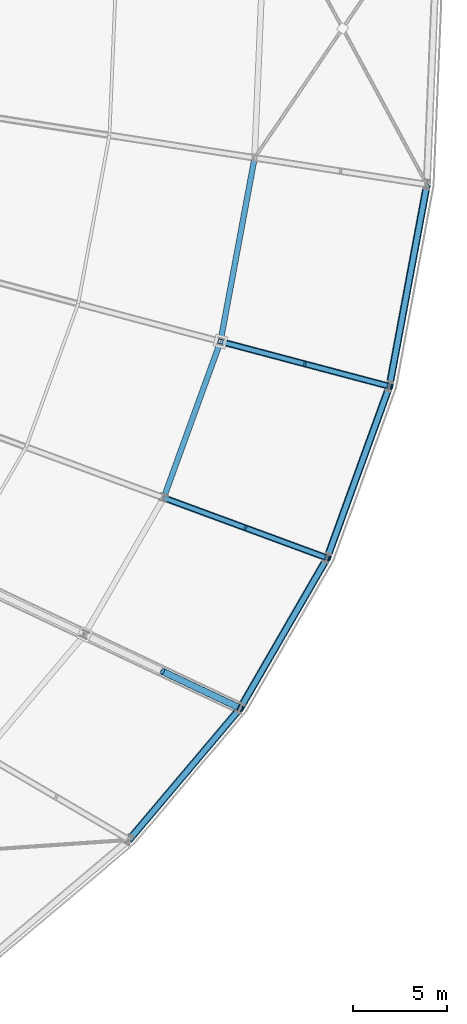
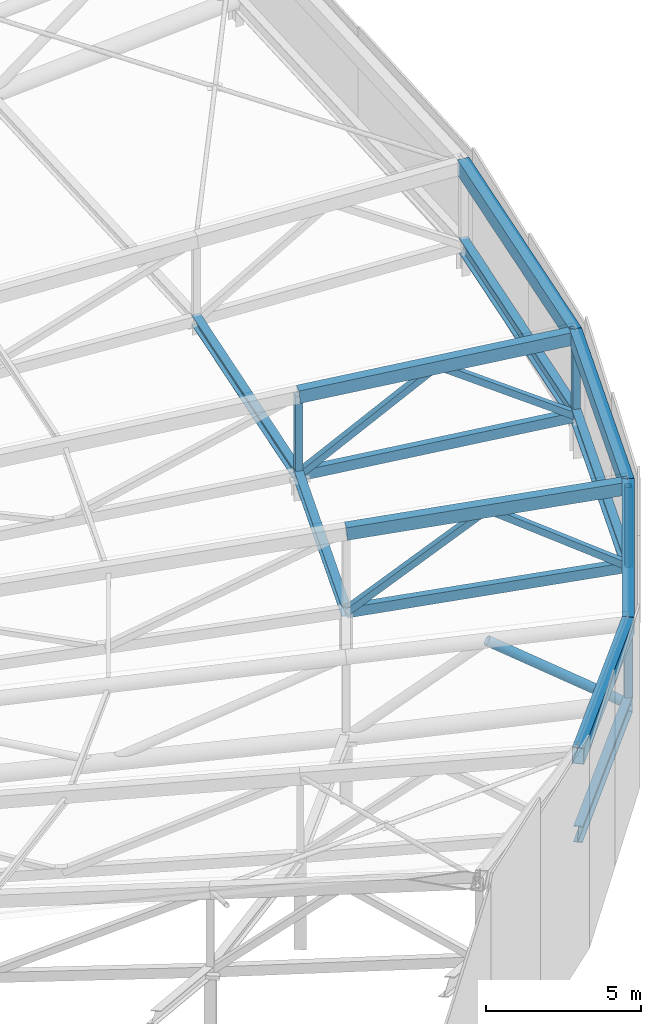
# One storey, part 69 of 143: 14 beams, 9 members.
"""IFC4 building model written with IfcOpenShell, lengths in metres."""

from ifc_helpers import new_model, si_unit, direction, frame, origin, origin_2d, place, context, subcontext, project, spatial, hollow_rectangle, hollow_circle, i_section, extrude, material, material_profile, profile_set, type_object, element, save


model = new_model("IFC4")

# Units and contexts
model_context = context("Model", 3, precision=1e-05, world=origin(), true_north=direction((0.0, 1.0)))
body_context = subcontext(model_context, "Body", "Model", "MODEL_VIEW")
ifc_project = project(units=[si_unit("LENGTHUNIT", "METRE"), si_unit("AREAUNIT", "SQUARE_METRE"), si_unit("VOLUMEUNIT", "CUBIC_METRE"), si_unit("PLANEANGLEUNIT", "RADIAN"), si_unit("MASSUNIT", "GRAM", prefix="KILO")], contexts=[model_context])

# Site, building, storey
site_placement = place(None, origin())
site = spatial("IfcSite", under=ifc_project, at=site_placement, CompositionType="ELEMENT")
building_placement = place(site_placement, origin())
building = spatial("IfcBuilding", under=site, at=building_placement, Name="Mphavela Belvedere Stadium", CompositionType="ELEMENT")
storey_placement = place(building_placement, frame((0.0, 0.0, 28.800048828125)))
storey = spatial("IfcBuildingStorey", under=building, at=storey_placement, Name="RF", CompositionType="ELEMENT", Elevation=28.800048828125)

# Beams
ifc_material_1 = material(Name="Steel S355", Category="steel")
ifc_material_profile_1 = material_profile(ifc_material_1, hollow_rectangle(XDim=0.39990234375, YDim=0.60009765625, WallThickness=0.02001953125, at=origin_2d()), Name="RHS 600x400x20")
ifc_profile_set_1 = profile_set([ifc_material_profile_1], Name="Steel S355")
beam_type_1 = type_object("IfcBeamType", Name="BM-RING-OUT", PredefinedType="BEAM", material=ifc_profile_set_1)
beam_1_placement = place(storey_placement, frame((201.33837890625, 36.346435546875, 7.563720703125), z_axis=(0.640062920781, 0.758001984379, -0.125508761127), x_axis=(-0.764043650952, 0.645164552218, 0.0)))
element("IfcBeam", 1, at=beam_1_placement, inside=storey, type_object=beam_type_1, Name="Perimeter compression ring beam RB-OUT-44", PredefinedType="BEAM", context=body_context, shape_type="SweptSolid", body=[
    extrude(hollow_rectangle(XDim=0.39990234375, YDim=0.60009765625, WallThickness=0.02001953125, at=origin_2d()), origin(), (0.0, 0.0, 1.0), 9.22412109375),
])
beam_2_placement = place(storey_placement, frame((207.242431640625, 43.33837890625, 6.406005859375), z_axis=(0.49767882815, 0.8607068018, -0.107236119601), x_axis=(-0.865698783248, 0.500565297122, 0.0)))
element("IfcBeam", 2, at=beam_2_placement, inside=storey, type_object=beam_type_1, Name="Perimeter compression ring beam RB-OUT-45", PredefinedType="BEAM", context=body_context, shape_type="SweptSolid", body=[
    extrude(hollow_rectangle(XDim=0.39990234375, YDim=0.60009765625, WallThickness=0.02001953125, at=origin_2d()), origin(), (0.0, 0.0, 1.0), 9.2705078125),
])
beam_3_placement = place(storey_placement, frame((211.856201171875, 51.317626953125, 5.411865234375), z_axis=(0.339968578653, 0.93716524652, -0.078375163435), x_axis=(-0.94005692197, 0.341017570596, 0.0)))
element("IfcBeam", 3, at=beam_3_placement, inside=storey, type_object=beam_type_1, Name="Perimeter compression ring beam RB-OUT-46", PredefinedType="BEAM", context=body_context, shape_type="SweptSolid", body=[
    extrude(hollow_rectangle(XDim=0.39990234375, YDim=0.60009765625, WallThickness=0.02001953125, at=origin_2d()), origin(), (0.0, 0.0, 1.0), 9.7314453125),
])
beam_4_placement = place(storey_placement, frame((215.16455078125, 60.4375, 4.649169921875), z_axis=(0.182465993272, 0.98222864974, -0.043966361346), x_axis=(-0.983179372393, 0.18264260648, 0.0)))
element("IfcBeam", 4, at=beam_4_placement, inside=storey, type_object=beam_type_1, Name="Perimeter compression ring beam RB-OUT-47", PredefinedType="BEAM", context=body_context, shape_type="SweptSolid", body=[
    extrude(hollow_rectangle(XDim=0.39990234375, YDim=0.60009765625, WallThickness=0.02001953125, at=origin_2d()), origin(), (0.0, 0.0, 1.0), 10.911376953125),
])
ifc_material_2 = material(Name="Steel S355", Category="steel")
ifc_material_profile_2 = material_profile(ifc_material_2, i_section(OverallWidth=0.300048828125, OverallDepth=0.39990234375, WebThickness=0.013427734375, FlangeThickness=0.02392578125, at=origin_2d()), Name="HEB 400")
ifc_profile_set_2 = profile_set([ifc_material_profile_2], Name="Steel S355")
beam_type_2 = type_object("IfcBeamType", Name="BM-STEEL-HEB400", PredefinedType="BEAM", material=ifc_profile_set_2)
beam_5_placement = place(storey_placement, frame((203.175537109375, 54.515625, 1.611328125), z_axis=(0.339980753487, 0.937158586677, -0.07840198133), x_axis=(-0.940052229987, 0.341030504348, 0.0)))
element("IfcBeam", 5, at=beam_5_placement, inside=storey, type_object=beam_type_2, Name="Roof bottom-chord tie girder R3-46", PredefinedType="BEAM", context=body_context, shape_type="SweptSolid", body=[
    extrude(i_section(OverallWidth=0.300048828125, OverallDepth=0.39990234375, WebThickness=0.013427734375, FlangeThickness=0.02392578125, at=origin_2d()), origin(), (0.0, 0.0, 1.0), 8.859130859375),
])
beam_6_placement = place(storey_placement, frame((206.1875, 62.818115234375, 0.916748046875), z_axis=(0.182461823347, 0.982231515362, -0.043919622619), x_axis=(-0.983180217585, 0.182638056683, 0.0)))
element("IfcBeam", 6, at=beam_6_placement, inside=storey, type_object=beam_type_2, Name="Roof bottom-chord tie girder R3-47", PredefinedType="BEAM", context=body_context, shape_type="SweptSolid", body=[
    extrude(i_section(OverallWidth=0.300048828125, OverallDepth=0.39990234375, WebThickness=0.013427734375, FlangeThickness=0.02392578125, at=origin_2d()), origin(), (0.0, 0.0, 1.0), 9.93359375),
])
ifc_material_3 = material(Name="Steel S355", Category="steel")
ifc_material_profile_3 = material_profile(ifc_material_3, i_section(OverallWidth=0.300048828125, OverallDepth=0.60009765625, WebThickness=0.015380859375, FlangeThickness=0.030029296875, at=origin_2d()), Name="HEB 600")
ifc_profile_set_3 = profile_set([ifc_material_profile_3], Name="Steel S355")
beam_type_3 = type_object("IfcBeamType", Name="BM-STEEL-HEB600", PredefinedType="BEAM", material=ifc_profile_set_3)
beam_7_placement = place(storey_placement, frame((201.33837890625, 36.346435546875, 4.46875), z_axis=(0.640062920781, 0.758001984379, -0.125508761127), x_axis=(-0.764043650952, 0.645164552218, 0.0)))
element("IfcBeam", 7, at=beam_7_placement, inside=storey, type_object=beam_type_3, Name="Roof bottom-chord tie girder R4-44", PredefinedType="BEAM", context=body_context, shape_type="SweptSolid", body=[
    extrude(i_section(OverallWidth=0.300048828125, OverallDepth=0.60009765625, WebThickness=0.015380859375, FlangeThickness=0.030029296875, at=origin_2d()), origin(), (0.0, 0.0, 1.0), 9.22412109375),
])
beam_8_placement = place(storey_placement, frame((207.242431640625, 43.33837890625, 3.31103515625), z_axis=(0.49767882815, 0.8607068018, -0.107236119601), x_axis=(-0.865698783248, 0.500565297122, 0.0)))
element("IfcBeam", 8, at=beam_8_placement, inside=storey, type_object=beam_type_3, Name="Roof bottom-chord tie girder R4-45", PredefinedType="BEAM", context=body_context, shape_type="SweptSolid", body=[
    extrude(i_section(OverallWidth=0.300048828125, OverallDepth=0.60009765625, WebThickness=0.015380859375, FlangeThickness=0.030029296875, at=origin_2d()), origin(), (0.0, 0.0, 1.0), 9.2705078125),
])
beam_9_placement = place(storey_placement, frame((211.856201171875, 51.317626953125, 2.31689453125), z_axis=(0.339967910074, 0.937163403499, -0.078400097335), x_axis=(-0.94005692197, 0.341017570596, 0.0)))
element("IfcBeam", 9, at=beam_9_placement, inside=storey, type_object=beam_type_3, Name="Roof bottom-chord tie girder R4-46", PredefinedType="BEAM", context=body_context, shape_type="SweptSolid", body=[
    extrude(i_section(OverallWidth=0.300048828125, OverallDepth=0.60009765625, WebThickness=0.015380859375, FlangeThickness=0.030029296875, at=origin_2d()), origin(), (0.0, 0.0, 1.0), 9.7314453125),
])
beam_10_placement = place(storey_placement, frame((215.16455078125, 60.4375, 1.553955078125), z_axis=(0.182466172724, 0.982229615749, -0.043944029826), x_axis=(-0.983179372393, 0.18264260648, 0.0)))
element("IfcBeam", 10, at=beam_10_placement, inside=storey, type_object=beam_type_3, Name="Roof bottom-chord tie girder R4-47", PredefinedType="BEAM", context=body_context, shape_type="SweptSolid", body=[
    extrude(i_section(OverallWidth=0.300048828125, OverallDepth=0.60009765625, WebThickness=0.015380859375, FlangeThickness=0.030029296875, at=origin_2d()), origin(), (0.0, 0.0, 1.0), 10.911376953125),
])
ifc_material_4 = material(Name="Steel S355", Category="steel")
ifc_material_profile_4 = material_profile(ifc_material_4, hollow_rectangle(XDim=0.25, YDim=0.39990234375, WallThickness=0.01611328125, at=origin_2d()), Name="RHS 400x250x16")
ifc_profile_set_4 = profile_set([ifc_material_profile_4], Name="Steel S355")
beam_type_4 = type_object("IfcBeamType", Name="BM-TRUSS-BC2", PredefinedType="BEAM", material=ifc_profile_set_4)
beam_11_placement = place(storey_placement, frame((211.856201171875, 51.317626953125, 2.31689453125), z_axis=(-0.935630744709, 0.344690829254, -0.076048285865), x_axis=(-0.345691905967, -0.938348073025, 0.0)))
element("IfcBeam", 11, at=beam_11_placement, inside=storey, type_object=beam_type_4, Name="Radial roof truss RT-46 bottom chord 1", PredefinedType="BEAM", context=body_context, shape_type="SweptSolid", body=[
    extrude(hollow_rectangle(XDim=0.25, YDim=0.39990234375, WallThickness=0.01611328125, at=origin_2d()), origin(), (0.0, 0.0, 1.0), 9.27783203125),
])
beam_12_placement = place(storey_placement, frame((215.16455078125, 60.4375, 1.553955078125), z_axis=(-0.964322564095, 0.255727748776, -0.068449330767), x_axis=(-0.256328944196, -0.966589609073, 0.0)))
element("IfcBeam", 12, at=beam_12_placement, inside=storey, type_object=beam_type_4, Name="Radial roof truss RT-47 bottom chord 1", PredefinedType="BEAM", context=body_context, shape_type="SweptSolid", body=[
    extrude(hollow_rectangle(XDim=0.25, YDim=0.39990234375, WallThickness=0.01611328125, at=origin_2d()), origin(), (0.0, 0.0, 1.0), 9.30908203125),
])
ifc_material_5 = material(Name="Steel S355", Category="steel")
ifc_material_profile_5 = material_profile(ifc_material_5, hollow_rectangle(XDim=0.35009765625, YDim=0.5, WallThickness=0.02001953125, at=origin_2d()), Name="RHS 500x350x20")
ifc_profile_set_5 = profile_set([ifc_material_profile_5], Name="Steel S355")
beam_type_5 = type_object("IfcBeamType", Name="BM-TRUSS-TC2", PredefinedType="BEAM", material=ifc_profile_set_5)
beam_13_placement = place(storey_placement, frame((211.856201171875, 51.317626953125, 5.466796875), z_axis=(-0.935630744709, 0.344690829254, -0.076048285865), x_axis=(-0.345691905967, -0.938348073025, 0.0)))
element("IfcBeam", 13, at=beam_13_placement, inside=storey, type_object=beam_type_5, Name="Radial roof truss RT-46 top chord 1", PredefinedType="BEAM", context=body_context, shape_type="SweptSolid", body=[
    extrude(hollow_rectangle(XDim=0.35009765625, YDim=0.5, WallThickness=0.02001953125, at=origin_2d()), origin(), (0.0, 0.0, 1.0), 9.27783203125),
])
beam_14_placement = place(storey_placement, frame((215.16455078125, 60.4375, 4.7041015625), z_axis=(-0.964322564095, 0.255727748776, -0.068449330767), x_axis=(-0.256328944196, -0.966589609073, 0.0)))
element("IfcBeam", 14, at=beam_14_placement, inside=storey, type_object=beam_type_5, Name="Radial roof truss RT-47 top chord 1", PredefinedType="BEAM", context=body_context, shape_type="SweptSolid", body=[
    extrude(hollow_rectangle(XDim=0.35009765625, YDim=0.5, WallThickness=0.02001953125, at=origin_2d()), origin(), (0.0, 0.0, 1.0), 9.30908203125),
])

# Members
ifc_material_6 = material(Name="Steel S355", Category="steel")
ifc_material_profile_6 = material_profile(ifc_material_6, hollow_circle(Radius=0.177734375, WallThickness=0.01611328125, at=origin_2d()), Name="CHS 355.6x16")
ifc_profile_set_6 = profile_set([ifc_material_profile_6], Name="Steel S355")
member_type_1 = type_object("IfcMemberType", Name="MEM-DIAG-355", PredefinedType="BRACE", material=ifc_profile_set_6)
member_1_placement = place(storey_placement, frame((207.242431640625, 43.33837890625, 3.31103515625), z_axis=(-0.774385979506, 0.366588129806, 0.515693220656), x_axis=(-0.427870623613, -0.903839991065, 0.0)))
element("IfcMember", 15, at=member_1_placement, inside=storey, type_object=member_type_1, Name="Radial roof truss RT-45 web diagonal D1", PredefinedType="BRACE", context=body_context, shape_type="SweptSolid", body=[
    extrude(hollow_circle(Radius=0.177734375, WallThickness=0.01611328125, at=origin_2d()), origin(), (0.0, 0.0, 1.0), 5.337890625),
])
ifc_material_7 = material(Name="Steel S355", Category="steel")
ifc_material_profile_7 = material_profile(ifc_material_7, hollow_rectangle(XDim=0.25, YDim=0.25, WallThickness=0.012451171875, at=origin_2d()), Name="SHS 250x250x12.5")
ifc_profile_set_7 = profile_set([ifc_material_profile_7], Name="Steel S355")
member_type_2 = type_object("IfcMemberType", Name="MEM-POST-SHS250", PredefinedType="POST", material=ifc_profile_set_7)
for number, where, z_axis, x_axis, name in (
    (16, (207.242431640625, 43.33837890625, 3.31103515625), (0.0, 0.0, 1.0), (0.903858661687, -0.4278311813, 0.0), "Radial roof truss RT-45 post P1"),
    (17, (211.856201171875, 51.317626953125, 2.31689453125), (0.0, 0.0, 1.0), (0.938372433776, -0.34562577382, 0.0), "Radial roof truss RT-46 post P1"),
):
    element("IfcMember", number, at=place(storey_placement, frame(where, z_axis=z_axis, x_axis=x_axis)), inside=storey, type_object=member_type_2, Name=name, PredefinedType="POST", context=body_context, shape_type="SweptSolid", body=[
        extrude(hollow_rectangle(XDim=0.25, YDim=0.25, WallThickness=0.012451171875, at=origin_2d()), origin(), (0.0, 0.0, 1.0), 3.14990234375),
    ])
member_2_placement = place(storey_placement, frame((211.856201171875, 51.317626953125, 2.31689453125), z_axis=(-0.80294578517, 0.295831639828, 0.517456961452), x_axis=(-0.345715142592, -0.938339512214, 0.0)))
element("IfcMember", 18, at=member_2_placement, inside=storey, type_object=member_type_2, Name="Radial roof truss RT-46 web diagonal D1", PredefinedType="POST", context=body_context, shape_type="SweptSolid", body=[
    extrude(hollow_rectangle(XDim=0.25, YDim=0.25, WallThickness=0.012451171875, at=origin_2d()), origin(), (0.0, 0.0, 1.0), 5.405517578125),
])
member_3_placement = place(storey_placement, frame((207.515869140625, 52.916748046875, 5.114013671875), z_axis=(-0.748069688663, 0.275571402354, -0.603698718823), x_axis=(-0.345668668705, -0.938356633416, 0.0)))
element("IfcMember", 19, at=member_3_placement, inside=storey, type_object=member_type_2, Name="Radial roof truss RT-46 web diagonal D2", PredefinedType="POST", context=body_context, shape_type="SweptSolid", body=[
    extrude(hollow_rectangle(XDim=0.25, YDim=0.25, WallThickness=0.012451171875, at=origin_2d()), origin(), (0.0, 0.0, 1.0), 5.802001953125),
])
for number, where, z_axis, x_axis, name in (
    (20, (215.16455078125, 60.4375, 1.553955078125), (0.0, 0.0, 1.0), (0.966600102017, -0.256289373133, 0.0), "Radial roof truss RT-47 post P1"),
    (21, (206.1875, 62.818115234375, 0.916748046875), (0.0, 0.0, 1.0), (0.966600102017, -0.256289373133, 0.0), "Radial roof truss RT-47 post P2"),
):
    element("IfcMember", number, at=place(storey_placement, frame(where, z_axis=z_axis, x_axis=x_axis)), inside=storey, type_object=member_type_2, Name=name, PredefinedType="POST", context=body_context, shape_type="SweptSolid", body=[
        extrude(hollow_rectangle(XDim=0.25, YDim=0.25, WallThickness=0.012451171875, at=origin_2d()), origin(), (0.0, 0.0, 1.0), 3.150146484375),
    ])
member_4_placement = place(storey_placement, frame((215.16455078125, 60.4375, 1.553955078125), z_axis=(-0.825271763283, 0.218830560022, 0.520614735412), x_axis=(-0.2563043837, -0.966596121912, 0.0)))
element("IfcMember", 22, at=member_4_placement, inside=storey, type_object=member_type_2, Name="Radial roof truss RT-47 web diagonal D1", PredefinedType="POST", context=body_context, shape_type="SweptSolid", body=[
    extrude(hollow_rectangle(XDim=0.25, YDim=0.25, WallThickness=0.012451171875, at=origin_2d()), origin(), (0.0, 0.0, 1.0), 5.43896484375),
])
member_5_placement = place(storey_placement, frame((210.676025390625, 61.627685546875, 4.385498046875), z_axis=(-0.774387876637, 0.205380216833, -0.598449983751), x_axis=(-0.256353504195, -0.966583095697, 0.0)))
element("IfcMember", 23, at=member_5_placement, inside=storey, type_object=member_type_2, Name="Radial roof truss RT-47 web diagonal D2", PredefinedType="POST", context=body_context, shape_type="SweptSolid", body=[
    extrude(hollow_rectangle(XDim=0.25, YDim=0.25, WallThickness=0.012451171875, at=origin_2d()), origin(), (0.0, 0.0, 1.0), 5.796142578125),
])

save(model, "model.ifc")
